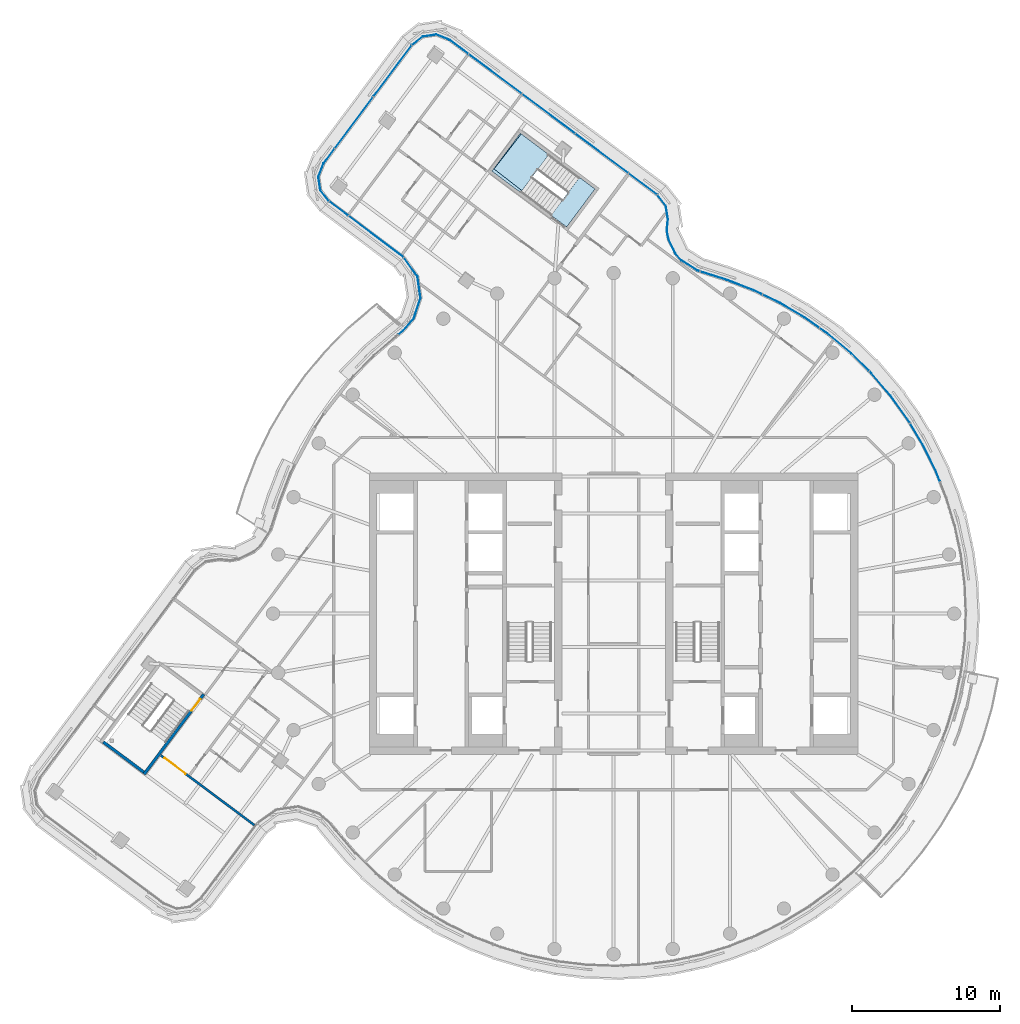
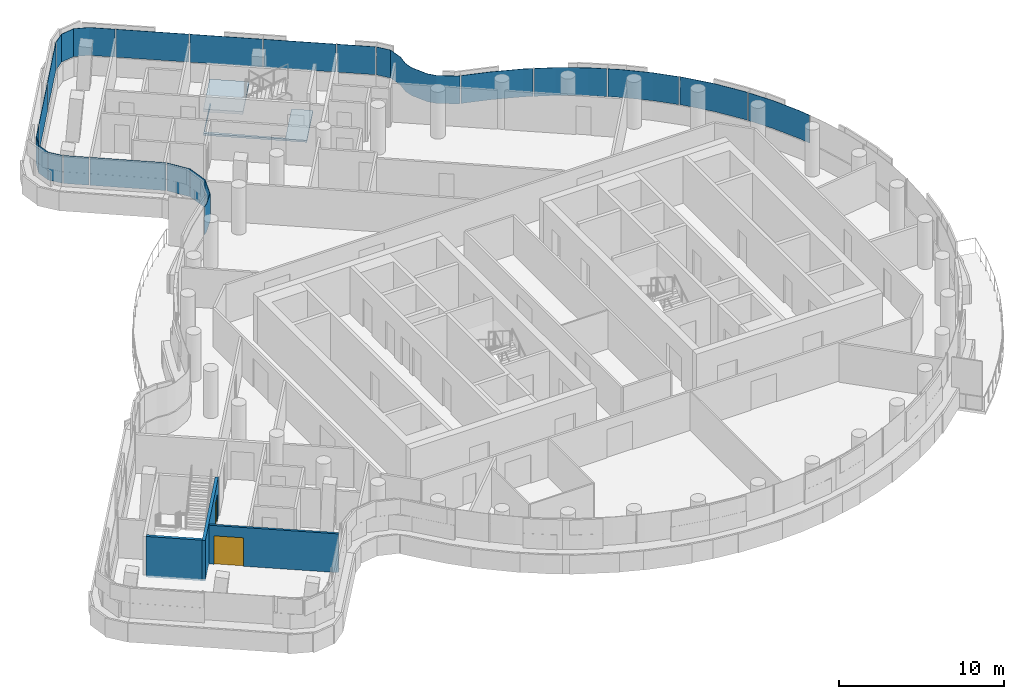
# One storey, part 16 of 27: 17 plates, 3 walls, 2 doors, 2 slabs, 2 openings, 6 elements without a shape of their own.
"""IFC4 building model written with IfcOpenShell, lengths in metres."""

from ifc_helpers import new_model, si_unit, direction, frame, frame_2d, origin, place, context, subcontext, project, spatial, polyline, rectangle, outline, extrude, material, layer, layer_set, type_object, element, fill, aggregate, save


model = new_model("IFC4")

# Units and contexts
model_context = context("Model", 3, precision=1e-05, world=origin(), true_north=direction((0.0, 1.0)))
body_context = subcontext(model_context, "Body", "Model", "MODEL_VIEW")
ifc_project = project(units=[si_unit("LENGTHUNIT", "METRE"), si_unit("AREAUNIT", "SQUARE_METRE"), si_unit("VOLUMEUNIT", "CUBIC_METRE"), si_unit("PLANEANGLEUNIT", "RADIAN"), si_unit("MASSUNIT", "GRAM", prefix="KILO")], contexts=[model_context])

# Site, building, storey
site_placement = place(None, origin())
site = spatial("IfcSite", under=ifc_project, at=site_placement, CompositionType="ELEMENT")
building_placement = place(site_placement, origin())
building = spatial("IfcBuilding", under=site, at=building_placement, Name="Tamarind Cross Interchange Tower", CompositionType="ELEMENT")
storey_placement = place(building_placement, frame((0.0, 0.0, 227.10009765625)))
storey = spatial("IfcBuildingStorey", under=building, at=storey_placement, Name="L57", CompositionType="ELEMENT", Elevation=227.10009765625)

# Slab
ifc_material_1 = material(Name="Concrete C35", Category="concrete")
ifc_layer_1 = layer(ifc_material_1, 0.139892578125)
ifc_layer_set_1 = layer_set([ifc_layer_1], Name="Concrete C35")
slab_type_1 = type_object("IfcSlabType", Name="Composite slab 140 Concrete C35", PredefinedType="FLOOR", material=ifc_layer_set_1)
slab_1_placement = place(storey_placement, frame((0.0, 0.0, -0.14013671875)))
element("IfcSlab", 1, at=slab_1_placement, inside=storey, type_object=slab_type_1, Name="Floor slab L57", PredefinedType="FLOOR", context=body_context, shape_type="SweptSolid", body=[
    extrude(outline(polyline([(-6.30810546875, 32.443115234375), (-8.22119140625, 29.877685546875), (-3.171142578125, 26.111572265625), (-1.258056640625, 28.676513671875), (-2.309814453125, 29.4609375), (-4.15380859375, 26.98828125), (-8.076416015625, 30.0263671875), (-6.242431640625, 32.39404296875), (-6.30810546875, 32.443115234375)])), origin(), (0.0, 0.0, 1.0), 0.14013671875),
])

# Stair, slab
ifc_material_2 = material(Name="Exit stair")
stair_type = type_object("IfcStairType", Name="Exit stair", PredefinedType="HALF_TURN_STAIR", material=ifc_material_2)
stair_placement = place(storey_placement, origin())
stair = element("IfcStair", 2, at=stair_placement, inside=storey, type_object=stair_type, Name="L57 exit stair ST4", PredefinedType="HALF_TURN_STAIR")
ifc_material_3 = material(Name="Concrete C40", Category="concrete")
ifc_layer_2 = layer(ifc_material_3, 0.199951171875)
ifc_layer_set_2 = layer_set([ifc_layer_2], Name="Concrete C40")
slab_type_2 = type_object("IfcSlabType", Name="Stair landing", PredefinedType="LANDING", material=ifc_layer_set_2)
slab_2_placement = place(storey_placement, frame((0.0, 0.0, 1.599853515625)))
slab_2 = element("IfcSlab", 3, at=slab_2_placement, type_object=slab_type_2, Name="ST4 landing 1", PredefinedType="LANDING", context=body_context, shape_type="SweptSolid", body=[
    extrude(outline(polyline([(-4.374755859375, 31.0009765625), (-6.30810546875, 32.443115234375), (-8.22119140625, 29.8779296875), (-6.287841796875, 28.435791015625), (-4.374755859375, 31.0009765625)])), origin(), (0.0, 0.0, 1.0), 0.199951171875),
])
aggregate(stair, [slab_2])

# Curtain wall, plates
ifc_material_4 = material(Name="Aluminium 6063-T6", Category="aluminium")
ifc_layer_3 = layer(ifc_material_4, 0.139892578125)
ifc_layer_set_3 = layer_set([ifc_layer_3], Name="Aluminium 6063-T6")
curtain_wall_type = type_object("IfcCurtainWallType", Name="Hotel curtain wall, 4.5 m bays", PredefinedType="NOTDEFINED", material=ifc_layer_set_3)
curtain_wall_1_placement = place(storey_placement, origin())
curtain_wall_1 = element("IfcCurtainWall", 4, at=curtain_wall_1_placement, inside=storey, type_object=curtain_wall_type, Name="CWS-L57-02", PredefinedType="NOTDEFINED")
ifc_material_5 = material(Name="Laminated low-e glass 6+1.52+6", Category="glass")
ifc_layer_4 = layer(ifc_material_5, 0.02392578125)
ifc_layer_set_4 = layer_set([ifc_layer_4], Name="Laminated low-e glass 6+1.52+6")
plate_type = type_object("IfcPlateType", Name="Vision panel CW2", PredefinedType="CURTAIN_PANEL", material=ifc_layer_set_4)
plate_1_placement = place(storey_placement, frame((0.0, 0.0, 1.39990234375)))
plate_1 = element("IfcPlate", 5, at=plate_1_placement, type_object=plate_type, Name="CWP-L57-02-16", PredefinedType="CURTAIN_PANEL", context=body_context, shape_type="SweptSolid", body=[
    extrude(outline(polyline([(22.0283203125, 8.916259765625), (21.7392578125, 9.6474609375), (20.868408203125, 11.40966796875), (20.015869140625, 12.826171875), (20.03662109375, 12.838623046875), (20.889404296875, 11.421142578125), (21.76123046875, 9.6572265625), (22.050537109375, 8.925048828125), (22.0283203125, 8.916259765625)])), origin(), (0.0, 0.0, 1.0), 2.06005859375),
])
plate_2_placement = place(storey_placement, frame((0.0, 0.0, 1.39990234375)))
plate_2 = element("IfcPlate", 6, at=plate_2_placement, type_object=plate_type, Name="CWP-L57-02-17", PredefinedType="CURTAIN_PANEL", context=body_context, shape_type="SweptSolid", body=[
    extrude(outline(polyline([(19.985107421875, 12.877685546875), (19.854736328125, 13.093994140625), (18.705810546875, 14.68896484375), (17.4287109375, 16.183349609375), (17.27294921875, 16.338134765625), (17.289794921875, 16.35498046875), (17.4462890625, 16.19970703125), (18.724609375, 14.703857421875), (19.874755859375, 13.107177734375), (20.005615234375, 12.89013671875), (19.985107421875, 12.877685546875)])), origin(), (0.0, 0.0, 1.0), 2.06005859375),
])
plate_3_placement = place(storey_placement, frame((0.0, 0.0, 1.39990234375)))
plate_3 = element("IfcPlate", 7, at=plate_3_placement, type_object=plate_type, Name="CWP-L57-02-18", PredefinedType="CURTAIN_PANEL", context=body_context, shape_type="SweptSolid", body=[
    extrude(outline(polyline([(17.230224609375, 16.38037109375), (16.032958984375, 17.5673828125), (14.52734375, 18.83154296875), (13.91259765625, 19.266357421875), (13.92626953125, 19.2861328125), (14.5419921875, 18.850341796875), (16.049072265625, 17.585205078125), (17.2470703125, 16.397216796875), (17.230224609375, 16.38037109375)])), origin(), (0.0, 0.0, 1.0), 2.06005859375),
])
plate_4_placement = place(storey_placement, frame((0.0, 0.0, 1.39990234375)))
plate_4 = element("IfcPlate", 8, at=plate_4_placement, type_object=plate_type, Name="CWP-L57-02-19", PredefinedType="CURTAIN_PANEL", context=body_context, shape_type="SweptSolid", body=[
    extrude(outline(polyline([(13.863525390625, 19.301025390625), (12.922607421875, 19.966796875), (11.229736328125, 20.9658203125), (10.071044921875, 21.52587890625), (10.08154296875, 21.547607421875), (11.240966796875, 20.98681640625), (12.935791015625, 19.987060546875), (13.87744140625, 19.32080078125), (13.863525390625, 19.301025390625)])), origin(), (0.0, 0.0, 1.0), 2.06005859375),
])
plate_5_placement = place(storey_placement, frame((0.0, 0.0, 1.39990234375)))
plate_5 = element("IfcPlate", 9, at=plate_5_placement, type_object=plate_type, Name="CWP-L57-02-20", PredefinedType="CURTAIN_PANEL", context=body_context, shape_type="SweptSolid", body=[
    extrude(outline(polyline([(10.01708984375, 21.552001953125), (9.4599609375, 21.821533203125), (7.623779296875, 22.52880859375), (5.856201171875, 23.08984375), (5.86328125, 23.11279296875), (7.631591796875, 22.551513671875), (9.469482421875, 21.843505859375), (10.027587890625, 21.57373046875), (10.01708984375, 21.552001953125)])), origin(), (0.0, 0.0, 1.0), 2.06005859375),
])
plate_6_placement = place(storey_placement, frame((0.0, 0.0, 1.39990234375)))
plate_6 = element("IfcPlate", 10, at=plate_6_placement, type_object=plate_type, Name="CWP-L57-02-21", PredefinedType="CURTAIN_PANEL", context=body_context, shape_type="SweptSolid", body=[
    extrude(outline(polyline([(5.798828125, 23.108154296875), (5.6591796875, 23.15234375), (4.578857421875, 23.83837890625), (4.182861328125, 24.282470703125), (3.6845703125, 25.3095703125), (3.581298828125, 25.895751953125), (3.656005859375, 26.62548828125), (3.510498046875, 27.55126953125), (2.94482421875, 28.2626953125), (2.963623046875, 28.277587890625), (3.533203125, 27.561279296875), (3.68017578125, 26.626220703125), (3.60546875, 25.896484375), (3.707763671875, 25.317138671875), (4.202880859375, 24.2958984375), (4.594482421875, 23.856689453125), (5.66943359375, 23.17431640625), (5.80615234375, 23.130859375), (5.798828125, 23.108154296875)])), origin(), (0.0, 0.0, 1.0), 2.06005859375),
])
aggregate(curtain_wall_1, [plate_1, plate_2, plate_3, plate_4, plate_5, plate_6])

curtain_wall_2_placement = place(storey_placement, origin())
curtain_wall_2 = element("IfcCurtainWall", 11, at=curtain_wall_2_placement, inside=storey, type_object=curtain_wall_type, Name="CWS-L57-03", PredefinedType="NOTDEFINED")
plate_7_placement = place(storey_placement, frame((0.0, 0.0, 1.39990234375)))
plate_7 = element("IfcPlate", 12, at=plate_7_placement, type_object=plate_type, Name="CWP-L57-03-00", PredefinedType="CURTAIN_PANEL", context=body_context, shape_type="SweptSolid", body=[
    extrude(outline(polyline([(2.904296875, 28.302001953125), (1.02099609375, 29.706298828125), (1.035400390625, 29.7255859375), (2.918701171875, 28.321044921875), (2.904296875, 28.302001953125)])), origin(), (0.0, 0.0, 1.0), 2.06005859375),
])
plate_8_placement = place(storey_placement, frame((0.0, 0.0, 1.39990234375)))
plate_8 = element("IfcPlate", 13, at=plate_8_placement, type_object=plate_type, Name="CWP-L57-03-01", PredefinedType="CURTAIN_PANEL", context=body_context, shape_type="SweptSolid", body=[
    extrude(outline(polyline([(0.972900390625, 29.7421875), (-2.57568359375, 32.388671875), (-2.561279296875, 32.407958984375), (0.9873046875, 29.761474609375), (0.972900390625, 29.7421875)])), origin(), (0.0, 0.0, 1.0), 2.06005859375),
])
plate_9_placement = place(storey_placement, frame((0.0, 0.0, 1.39990234375)))
plate_9 = element("IfcPlate", 14, at=plate_9_placement, type_object=plate_type, Name="CWP-L57-03-02", PredefinedType="CURTAIN_PANEL", context=body_context, shape_type="SweptSolid", body=[
    extrude(outline(polyline([(-2.623779296875, 32.424560546875), (-6.172119140625, 35.07080078125), (-6.15771484375, 35.090087890625), (-2.609375, 32.44384765625), (-2.623779296875, 32.424560546875)])), origin(), (0.0, 0.0, 1.0), 2.06005859375),
])
plate_10_placement = place(storey_placement, frame((0.0, 0.0, 1.39990234375)))
plate_10 = element("IfcPlate", 15, at=plate_10_placement, type_object=plate_type, Name="CWP-L57-03-03", PredefinedType="CURTAIN_PANEL", context=body_context, shape_type="SweptSolid", body=[
    extrude(outline(polyline([(-6.22021484375, 35.106689453125), (-9.7685546875, 37.753173828125), (-9.754150390625, 37.7724609375), (-6.205810546875, 35.1259765625), (-6.22021484375, 35.106689453125)])), origin(), (0.0, 0.0, 1.0), 2.06005859375),
])
plate_11_placement = place(storey_placement, frame((0.0, 0.0, 1.39990234375)))
plate_11 = element("IfcPlate", 16, at=plate_11_placement, type_object=plate_type, Name="CWP-L57-03-04", PredefinedType="CURTAIN_PANEL", context=body_context, shape_type="SweptSolid", body=[
    extrude(outline(polyline([(-9.816650390625, 37.7890625), (-11.08984375, 38.738525390625), (-11.972900390625, 39.09033203125), (-12.885009765625, 38.95751953125), (-13.608642578125, 38.385986328125), (-13.62353515625, 38.405029296875), (-12.894775390625, 38.980224609375), (-11.969970703125, 39.114990234375), (-11.077880859375, 38.759765625), (-9.80224609375, 37.808349609375), (-9.816650390625, 37.7890625)])), origin(), (0.0, 0.0, 1.0), 2.06005859375),
])
aggregate(curtain_wall_2, [plate_7, plate_8, plate_9, plate_10, plate_11])

curtain_wall_3_placement = place(storey_placement, origin())
curtain_wall_3 = element("IfcCurtainWall", 17, at=curtain_wall_3_placement, inside=storey, type_object=curtain_wall_type, Name="CWS-L57-04", PredefinedType="NOTDEFINED")
plate_12_placement = place(storey_placement, frame((0.0, 0.0, 1.39990234375)))
plate_12 = element("IfcPlate", 18, at=plate_12_placement, type_object=plate_type, Name="CWP-L57-04-00", PredefinedType="CURTAIN_PANEL", context=body_context, shape_type="SweptSolid", body=[
    extrude(outline(polyline([(-13.64794921875, 38.345703125), (-16.210205078125, 34.910400390625), (-16.2294921875, 34.924560546875), (-13.667236328125, 38.360107421875), (-13.64794921875, 38.345703125)])), origin(), (0.0, 0.0, 1.0), 2.06005859375),
])
plate_13_placement = place(storey_placement, frame((0.0, 0.0, 1.39990234375)))
plate_13 = element("IfcPlate", 19, at=plate_13_placement, type_object=plate_type, Name="CWP-L57-04-01", PredefinedType="CURTAIN_PANEL", context=body_context, shape_type="SweptSolid", body=[
    extrude(outline(polyline([(-16.24609375, 34.8623046875), (-18.80810546875, 31.4267578125), (-18.827392578125, 31.441162109375), (-16.26513671875, 34.87646484375), (-16.24609375, 34.8623046875)])), origin(), (0.0, 0.0, 1.0), 2.06005859375),
])
plate_14_placement = place(storey_placement, frame((0.0, 0.0, 1.39990234375)))
plate_14 = element("IfcPlate", 20, at=plate_14_placement, type_object=plate_type, Name="CWP-L57-04-02", PredefinedType="CURTAIN_PANEL", context=body_context, shape_type="SweptSolid", body=[
    extrude(outline(polyline([(-18.843994140625, 31.378662109375), (-19.576171875, 30.39697265625), (-19.927734375, 29.513916015625), (-19.794921875, 28.601806640625), (-19.223388671875, 27.877685546875), (-19.2421875, 27.86279296875), (-19.81787109375, 28.592041015625), (-19.952392578125, 29.516845703125), (-19.59716796875, 30.408935546875), (-18.86328125, 31.39306640625), (-18.843994140625, 31.378662109375)])), origin(), (0.0, 0.0, 1.0), 2.06005859375),
])
aggregate(curtain_wall_3, [plate_12, plate_13, plate_14])

curtain_wall_4_placement = place(storey_placement, origin())
curtain_wall_4 = element("IfcCurtainWall", 21, at=curtain_wall_4_placement, inside=storey, type_object=curtain_wall_type, Name="CWS-L57-05", PredefinedType="NOTDEFINED")
plate_15_placement = place(storey_placement, frame((0.0, 0.0, 1.39990234375)))
plate_15 = element("IfcPlate", 22, at=plate_15_placement, type_object=plate_type, Name="CWP-L57-05-00", PredefinedType="CURTAIN_PANEL", context=body_context, shape_type="SweptSolid", body=[
    extrude(outline(polyline([(-19.18310546875, 27.83837890625), (-17.931884765625, 26.896728515625), (-17.9462890625, 26.877685546875), (-19.197509765625, 27.819091796875), (-19.18310546875, 27.83837890625)])), origin(), (0.0, 0.0, 1.0), 2.06005859375),
])
plate_16_placement = place(storey_placement, frame((0.0, 0.0, 1.39990234375)))
plate_16 = element("IfcPlate", 23, at=plate_16_placement, type_object=plate_type, Name="CWP-L57-05-01", PredefinedType="CURTAIN_PANEL", context=body_context, shape_type="SweptSolid", body=[
    extrude(outline(polyline([(-17.884033203125, 26.860595703125), (-14.1875, 24.078857421875), (-14.201904296875, 24.0595703125), (-17.8984375, 26.841552734375), (-17.884033203125, 26.860595703125)])), origin(), (0.0, 0.0, 1.0), 2.06005859375),
])
aggregate(curtain_wall_4, [plate_15, plate_16])

# Curtain wall, plate
curtain_wall_5_placement = place(storey_placement, origin())
curtain_wall_5 = element("IfcCurtainWall", 24, at=curtain_wall_5_placement, inside=storey, type_object=curtain_wall_type, Name="CWS-L57-06", PredefinedType="NOTDEFINED")
plate_17_placement = place(storey_placement, frame((0.0, 0.0, 1.39990234375)))
plate_17 = element("IfcPlate", 25, at=plate_17_placement, type_object=plate_type, Name="CWP-L57-06-00", PredefinedType="CURTAIN_PANEL", context=body_context, shape_type="SweptSolid", body=[
    extrude(outline(polyline([(-14.1435546875, 24.03369140625), (-13.240966796875, 22.7783203125), (-13.024658203125, 21.315673828125), (-13.4912109375, 19.9228515625), (-14.2158203125, 19.08935546875), (-14.52685546875, 18.83740234375), (-14.5419921875, 18.85595703125), (-14.232666015625, 19.106689453125), (-13.512451171875, 19.93505859375), (-13.049072265625, 21.31787109375), (-13.263916015625, 22.76904296875), (-14.162841796875, 24.019775390625), (-14.1435546875, 24.03369140625)])), origin(), (0.0, 0.0, 1.0), 2.06005859375),
])
aggregate(curtain_wall_5, [plate_17])

# Wall, opening, door
ifc_material_6 = material(Name="Gypsum board partition on steel studs", Category="steel")
ifc_layer_5 = layer(ifc_material_6, 0.14990234375)
ifc_layer_set_5 = layer_set([ifc_layer_5], Name="Gypsum board partition on steel studs")
wall_type_1 = type_object("IfcWallType", Name="Partition 150 mm EI 120", PredefinedType="PARTITIONING", material=ifc_layer_set_5)
wall_1_placement = place(storey_placement, frame((-30.58203125, -9.5673828125, 0.0), z_axis=(0.0, 0.0, 1.0), x_axis=(0.801579942273, -0.597887611635, 0.0)))
wall_1 = element("IfcWall", 26, at=wall_1_placement, inside=storey, type_object=wall_type_1, Name="Partition L57-005", PredefinedType="PARTITIONING", context=body_context, shape_type="SweptSolid", body=[
    extrude(rectangle(XDim=7.885498046875, YDim=0.14990234375, at=frame_2d((3.94287109375, 0.0))), origin(), (0.0, 0.0, 1.0), 2.864013671875),
])
opening_1_placement = place(wall_1_placement, frame((0.300048828125, 0.0, 0.0)))
opening_1 = element("IfcOpeningElement", 27, at=opening_1_placement, cuts=wall_1, Name="Opening D01", PredefinedType="OPENING", context=body_context, shape_type="SweptSolid", body=[
    extrude(rectangle(XDim=1.800048828125, YDim=2.10009765625, at=frame_2d((0.89990234375, 1.050048828125))), frame((0.0, 0.0849609375, 0.0), z_axis=(0.0, -1.0, 0.0), x_axis=(1.0, 0.0, 0.0)), (0.0, 0.0, 1.0), 0.169921875),
])
ifc_material_7 = material(Name="Fire-resisting door set")
door_type_1 = type_object("IfcDoorType", Name="Interior door 1800 x 2100 FD60S", OperationType="DOUBLE_DOOR_SINGLE_SWING", PredefinedType="DOOR", material=ifc_material_7)
door_1_placement = place(opening_1_placement, frame((1.800048828125, 0.0, 0.0), z_axis=(0.0, 0.0, 1.0), x_axis=(-1.0, 0.0, 0.0)))
door_1 = element("IfcDoor", 28, at=door_1_placement, inside=storey, type_object=door_type_1, Name="Door D01", OperationType="DOUBLE_DOOR_SINGLE_SWING", OverallHeight=2.10009765625, OverallWidth=1.800048828125, PredefinedType="DOOR", context=body_context, shape_type="SweptSolid", body=[
    extrude(rectangle(XDim=1.800048828125, YDim=2.10009765625, at=frame_2d((0.89990234375, 1.050048828125))), frame((0.0, 0.02490234375, 0.0), z_axis=(0.0, -1.0, 0.0), x_axis=(1.0, 0.0, 0.0)), (0.0, 0.0, 1.0), 0.050048828125),
])
fill(opening_1, door_1)

ifc_layer_6 = layer(ifc_material_3, 0.199951171875)
ifc_layer_set_6 = layer_set([ifc_layer_6], Name="Concrete C40")
wall_type_2 = type_object("IfcWallType", Name="Stair shaft wall 200 mm Concrete C40", PredefinedType="SHEAR", material=ifc_layer_set_6)
wall_2_placement = place(storey_placement, frame((-27.68408203125, -5.447265625, -0.14013671875), z_axis=(0.0, 0.0, 1.0), x_axis=(-0.59785191081, -0.801606569796, 0.0)))
wall_2 = element("IfcWall", 29, at=wall_2_placement, inside=storey, type_object=wall_type_2, Name="Core wall CWL-L57-ST5-H", PredefinedType="SHEAR", context=body_context, shape_type="SweptSolid", body=[
    extrude(rectangle(XDim=6.735107421875, YDim=0.199951171875, at=frame_2d((3.36767578125, 0.0))), origin(), (0.0, 0.0, 1.0), 3.004150390625),
])
opening_2_placement = place(wall_2_placement, frame((0.38525390625, 0.0, 0.0)))
opening_2 = element("IfcOpeningElement", 30, at=opening_2_placement, cuts=wall_2, Name="Opening ST5L57", PredefinedType="OPENING", context=body_context, shape_type="SweptSolid", body=[
    extrude(rectangle(XDim=1.0, YDim=2.10009765625, at=frame_2d((0.5, 1.050048828125))), frame((0.0, 0.10986328125, 0.0), z_axis=(0.0, -1.0, 0.0), x_axis=(1.0, 0.0, 0.0)), (0.0, 0.0, 1.0), 0.219970703125),
])
ifc_material_8 = material(Name="Steel, fire-resisting", Category="steel")
door_type_2 = type_object("IfcDoorType", Name="Core fire door 1000 x 2100 FD90", OperationType="SINGLE_SWING_LEFT", PredefinedType="DOOR", material=ifc_material_8)
door_2_placement = place(opening_2_placement, origin())
door_2 = element("IfcDoor", 31, at=door_2_placement, inside=storey, type_object=door_type_2, Name="L57 stair door ST5", OperationType="SINGLE_SWING_LEFT", OverallHeight=2.10009765625, OverallWidth=1.0, PredefinedType="DOOR", context=body_context, shape_type="SweptSolid", body=[
    extrude(rectangle(XDim=1.0, YDim=2.10009765625, at=frame_2d((0.5, 1.050048828125))), frame((0.0, 0.02490234375, 0.0), z_axis=(0.0, -1.0, 0.0), x_axis=(1.0, 0.0, 0.0)), (0.0, 0.0, 1.0), 0.050048828125),
])
fill(opening_2, door_2)

# Wall
wall_3_placement = place(storey_placement, frame((0.0, 0.0, -0.14013671875)))
element("IfcWall", 32, at=wall_3_placement, inside=storey, type_object=wall_type_2, Name="Core wall CWL-L57-ST5-CF", PredefinedType="SHEAR", context=body_context, shape_type="SweptSolid", body=[
    extrude(outline(polyline([(-34.40478515625, -8.58740234375), (-34.5244140625, -8.747802734375), (-31.791015625, -10.78662109375), (-31.67138671875, -10.626220703125), (-34.40478515625, -8.58740234375)])), origin(), (0.0, 0.0, 1.0), 3.004150390625),
])

save(model, "model.ifc")
